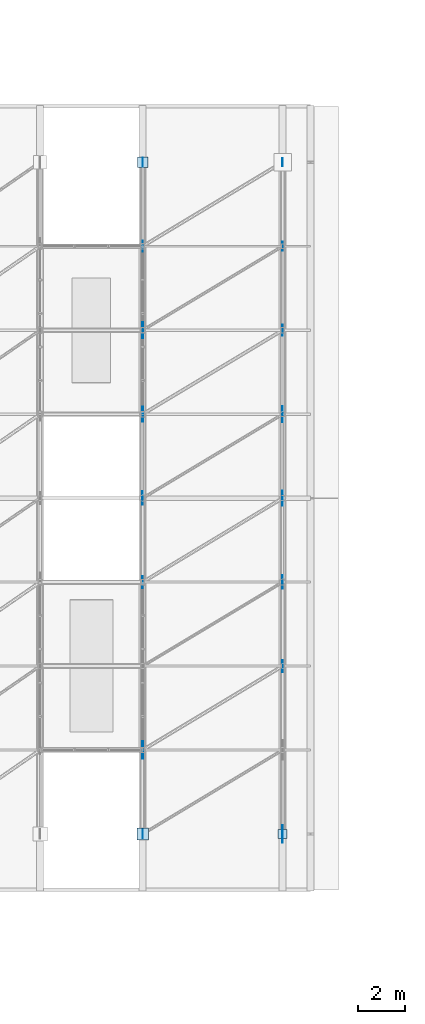
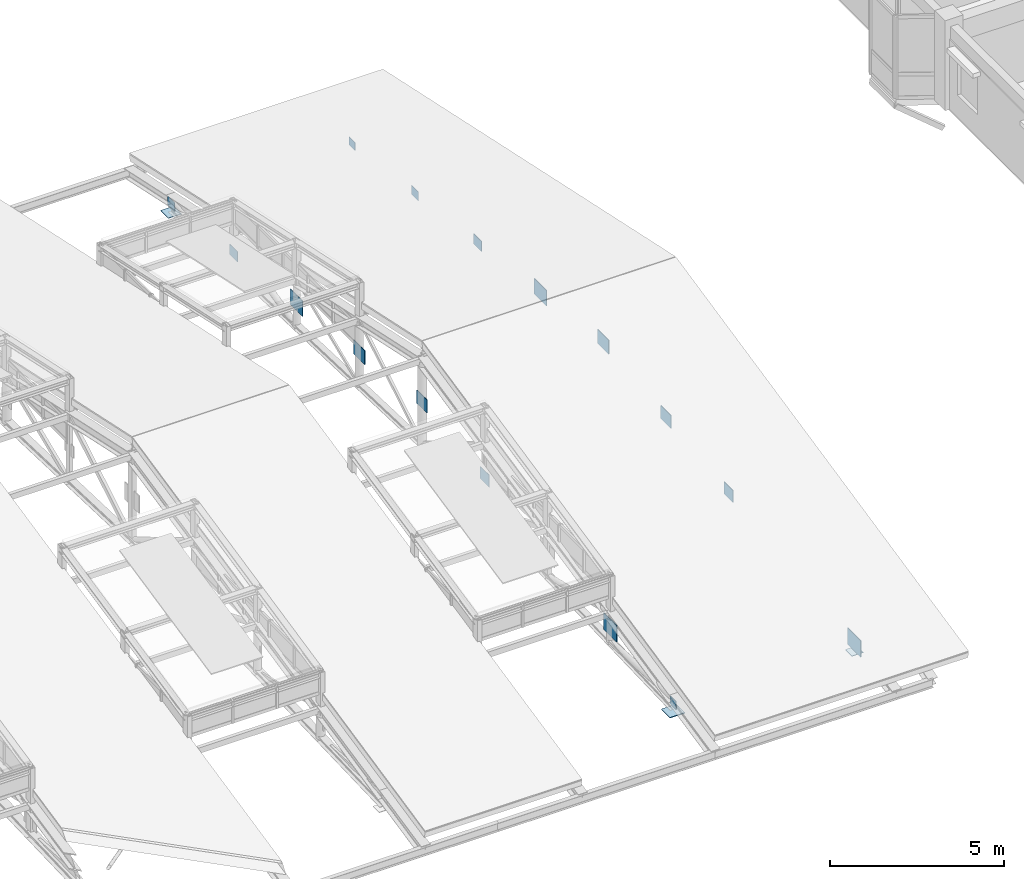
# One storey, part 88 of 124: 19 plates.
"""IFC4 building model written with IfcOpenShell, lengths in metres."""

from ifc_helpers import new_model, si_unit, direction, frame, origin, origin_2d, place, context, subcontext, project, spatial, rectangle, extrude, material, layer, layer_set, type_object, element, save


model = new_model("IFC4")

# Units and contexts
model_context = context("Model", 3, precision=1e-05, world=origin(), true_north=direction((0.0, 1.0)))
body_context = subcontext(model_context, "Body", "Model", "MODEL_VIEW")
ifc_project = project(units=[si_unit("LENGTHUNIT", "METRE"), si_unit("AREAUNIT", "SQUARE_METRE"), si_unit("VOLUMEUNIT", "CUBIC_METRE"), si_unit("PLANEANGLEUNIT", "RADIAN"), si_unit("MASSUNIT", "GRAM", prefix="KILO"), si_unit("THERMODYNAMICTEMPERATUREUNIT", "KELVIN"), si_unit("POWERUNIT", "WATT")], contexts=[model_context])

# Site, building, storey
site_placement = place(None, origin())
site = spatial("IfcSite", under=ifc_project, at=site_placement, CompositionType="ELEMENT")
building_placement = place(site_placement, origin())
building = spatial("IfcBuilding", under=site, at=building_placement, Name="Tavuni Mirador Residences", CompositionType="ELEMENT")
storey_placement = place(building_placement, frame((0.0, 0.0, 7.64990234375)))
storey = spatial("IfcBuildingStorey", under=building, at=storey_placement, Name="L02", CompositionType="ELEMENT", Elevation=7.64990234375)

# Plates
ifc_material = material(Name="Structural steel S355", Category="steel")
ifc_layer_1 = layer(ifc_material, 0.02392578125, Name="Structural steel S355", Category="steel")
ifc_layer_set_1 = layer_set([ifc_layer_1], Name="Structural steel S355")
plate_type_1 = type_object("IfcPlateType", Name="PLT-BP04", PredefinedType="USERDEFINED", material=ifc_layer_set_1)
plate_1_placement = place(storey_placement, frame((68.39990234375, 72.0, -0.65185546875), z_axis=(0.0, 0.0, 1.0), x_axis=(1.0, 0.0, 0.0)))
element("IfcPlate", 1, at=plate_1_placement, inside=storey, type_object=plate_type_1, Name="TR-7-BP-S", ObjectType="BASE PLATE", PredefinedType="USERDEFINED", context=body_context, shape_type="SweptSolid", body=[
    extrude(rectangle(XDim=0.5, YDim=0.5, at=origin_2d()), origin(), (0.0, 0.0, 1.0), 0.02392578125),
])
ifc_layer_2 = layer(ifc_material, 0.02197265625, Name="Structural steel S355", Category="steel")
ifc_layer_set_2 = layer_set([ifc_layer_2], Name="Structural steel S355")
plate_type_2 = type_object("IfcPlateType", Name="PLT-BP05", PredefinedType="USERDEFINED", material=ifc_layer_set_2)
plate_2_placement = place(storey_placement, frame((68.39990234375, 100.800048828125, -0.65087890625), z_axis=(0.0, 0.0, 1.0), x_axis=(1.0, 0.0, 0.0)))
element("IfcPlate", 2, at=plate_2_placement, inside=storey, type_object=plate_type_2, Name="TR-7-BP-N", ObjectType="BASE PLATE", PredefinedType="USERDEFINED", context=body_context, shape_type="SweptSolid", body=[
    extrude(rectangle(XDim=0.43994140625, YDim=0.43994140625, at=origin_2d()), origin(), (0.0, 0.0, 1.0), 0.02197265625),
])
ifc_layer_3 = layer(ifc_material, 0.02001953125, Name="Structural steel S355", Category="steel")
ifc_layer_set_3 = layer_set([ifc_layer_3], Name="Structural steel S355")
plate_type_3 = type_object("IfcPlateType", Name="PLT-BP06", PredefinedType="USERDEFINED", material=ifc_layer_set_3)
plate_3_placement = place(storey_placement, frame((74.39990234375, 72.0, -0.64990234375), z_axis=(0.0, 0.0, 1.0), x_axis=(1.0, 0.0, 0.0)))
element("IfcPlate", 3, at=plate_3_placement, inside=storey, type_object=plate_type_3, Name="TR-8-BP-S", ObjectType="BASE PLATE", PredefinedType="USERDEFINED", context=body_context, shape_type="SweptSolid", body=[
    extrude(rectangle(XDim=0.3798828125, YDim=0.3798828125, at=origin_2d()), origin(), (0.0, 0.0, 1.0), 0.02001953125),
])
ifc_layer_4 = layer(ifc_material, 0.02001953125, Name="Structural steel S355", Category="steel")
ifc_layer_set_4 = layer_set([ifc_layer_4], Name="Structural steel S355")
plate_type_4 = type_object("IfcPlateType", Name="PLT-GP01", PredefinedType="USERDEFINED", material=ifc_layer_set_4)
for number, where, z_axis, x_axis, name in (
    (4, (68.39990234375, 82.800048828125, 0.80517578125), (0.0, 0.0, 1.0), (0.0, 1.0, 0.0), "TR-7-GP-03"),
    (5, (74.39990234375, 79.199951171875, 0.355224609375), (0.0, 0.0, 1.0), (0.0, 1.0, 0.0), "TR-8-GP-02"),
):
    element("IfcPlate", number, at=place(storey_placement, frame(where, z_axis=z_axis, x_axis=x_axis)), inside=storey, type_object=plate_type_4, Name=name, ObjectType="GUSSET PLATE", PredefinedType="USERDEFINED", context=body_context, shape_type="SweptSolid", body=[
        extrude(rectangle(XDim=0.52001953125, YDim=0.02001953125, at=origin_2d()), origin(), (0.0, 0.0, 1.0), 0.419921875),
    ])
ifc_layer_5 = layer(ifc_material, 0.02197265625, Name="Structural steel S355", Category="steel")
ifc_layer_set_5 = layer_set([ifc_layer_5], Name="Structural steel S355")
plate_type_5 = type_object("IfcPlateType", Name="PLT-GP02", PredefinedType="USERDEFINED", material=ifc_layer_set_5)
for number, where, z_axis, x_axis, name in (
    (6, (68.39990234375, 86.39990234375, 1.235107421875), (0.0, 0.0, 1.0), (0.0, 1.0, 0.0), "TR-7-GP-04"),
    (7, (74.39990234375, 82.800048828125, 0.78515625), (0.0, 0.0, 1.0), (0.0, 1.0, 0.0), "TR-8-GP-03"),
):
    element("IfcPlate", number, at=place(storey_placement, frame(where, z_axis=z_axis, x_axis=x_axis)), inside=storey, type_object=plate_type_5, Name=name, ObjectType="GUSSET PLATE", PredefinedType="USERDEFINED", context=body_context, shape_type="SweptSolid", body=[
        extrude(rectangle(XDim=0.580078125, YDim=0.02197265625, at=origin_2d()), origin(), (0.0, 0.0, 1.0), 0.4599609375),
    ])
ifc_layer_6 = layer(ifc_material, 0.02392578125, Name="Structural steel S355", Category="steel")
ifc_layer_set_6 = layer_set([ifc_layer_6], Name="Structural steel S355")
plate_type_6 = type_object("IfcPlateType", Name="PLT-GP03", PredefinedType="USERDEFINED", material=ifc_layer_set_6)
for number, where, z_axis, x_axis, name in (
    (8, (68.39990234375, 90.0, 0.76513671875), (0.0, 0.0, 1.0), (0.0, 1.0, 0.0), "TR-7-GP-05"),
    (9, (74.39990234375, 86.39990234375, 1.215087890625), (0.0, 0.0, 1.0), (0.0, 1.0, 0.0), "TR-8-GP-04"),
):
    element("IfcPlate", number, at=place(storey_placement, frame(where, z_axis=z_axis, x_axis=x_axis)), inside=storey, type_object=plate_type_6, Name=name, ObjectType="GUSSET PLATE", PredefinedType="USERDEFINED", context=body_context, shape_type="SweptSolid", body=[
        extrude(rectangle(XDim=0.639892578125, YDim=0.02392578125, at=origin_2d()), origin(), (0.0, 0.0, 1.0), 0.5),
    ])
ifc_layer_7 = layer(ifc_material, 0.02490234375, Name="Structural steel S355", Category="steel")
ifc_layer_set_7 = layer_set([ifc_layer_7], Name="Structural steel S355")
plate_type_7 = type_object("IfcPlateType", Name="PLT-GP04", PredefinedType="USERDEFINED", material=ifc_layer_set_7)
for number, where, z_axis, x_axis, name in (
    (10, (68.39990234375, 93.60009765625, 0.295166015625), (0.0, 0.0, 1.0), (0.0, 1.0, 0.0), "TR-7-GP-06"),
    (11, (74.39990234375, 90.0, 0.7451171875), (0.0, 0.0, 1.0), (0.0, 1.0, 0.0), "TR-8-GP-05"),
):
    element("IfcPlate", number, at=place(storey_placement, frame(where, z_axis=z_axis, x_axis=x_axis)), inside=storey, type_object=plate_type_7, Name=name, ObjectType="GUSSET PLATE", PredefinedType="USERDEFINED", context=body_context, shape_type="SweptSolid", body=[
        extrude(rectangle(XDim=0.699951171875, YDim=0.02490234375, at=origin_2d()), origin(), (0.0, 0.0, 1.0), 0.5400390625),
    ])
ifc_layer_8 = layer(ifc_material, 0.01806640625, Name="Structural steel S355", Category="steel")
ifc_layer_set_8 = layer_set([ifc_layer_8], Name="Structural steel S355")
plate_type_8 = type_object("IfcPlateType", Name="PLT-GP05", PredefinedType="USERDEFINED", material=ifc_layer_set_8)
for number, where, z_axis, x_axis, name in (
    (12, (68.39990234375, 97.199951171875, -0.06494140625), (0.0, 0.0, 1.0), (0.0, 1.0, 0.0), "TR-7-GP-07"),
    (13, (74.39990234375, 93.60009765625, 0.38525390625), (0.0, 0.0, 1.0), (0.0, 1.0, 0.0), "TR-8-GP-06"),
):
    element("IfcPlate", number, at=place(storey_placement, frame(where, z_axis=z_axis, x_axis=x_axis)), inside=storey, type_object=plate_type_8, Name=name, ObjectType="GUSSET PLATE", PredefinedType="USERDEFINED", context=body_context, shape_type="SweptSolid", body=[
        extrude(rectangle(XDim=0.4599609375, YDim=0.01806640625, at=origin_2d()), origin(), (0.0, 0.0, 1.0), 0.360107421875),
    ])
ifc_layer_9 = layer(ifc_material, 0.01611328125, Name="Structural steel S355", Category="steel")
ifc_layer_set_9 = layer_set([ifc_layer_9], Name="Structural steel S355")
plate_type_9 = type_object("IfcPlateType", Name="PLT-GP06", PredefinedType="USERDEFINED", material=ifc_layer_set_9)
for number, where, z_axis, x_axis, name in (
    (14, (68.39990234375, 100.800048828125, -0.4951171875), (0.0, 0.0, 1.0), (0.0, 1.0, 0.0), "TR-7-GP-08"),
    (15, (74.39990234375, 97.199951171875, -0.044921875), (0.0, 0.0, 1.0), (0.0, 1.0, 0.0), "TR-8-GP-07"),
):
    element("IfcPlate", number, at=place(storey_placement, frame(where, z_axis=z_axis, x_axis=x_axis)), inside=storey, type_object=plate_type_9, Name=name, ObjectType="GUSSET PLATE", PredefinedType="USERDEFINED", context=body_context, shape_type="SweptSolid", body=[
        extrude(rectangle(XDim=0.39990234375, YDim=0.01611328125, at=origin_2d()), origin(), (0.0, 0.0, 1.0), 0.320068359375),
    ])
ifc_layer_10 = layer(ifc_material, 0.014892578125, Name="Structural steel S355", Category="steel")
ifc_layer_set_10 = layer_set([ifc_layer_10], Name="Structural steel S355")
plate_type_10 = type_object("IfcPlateType", Name="PLT-GP07", PredefinedType="USERDEFINED", material=ifc_layer_set_10)
for number, where, z_axis, x_axis, name in (
    (16, (68.39990234375, 72.0, -0.47509765625), (0.0, 0.0, 1.0), (0.0, 1.0, 0.0), "TR-7-GP-00"),
    (17, (74.39990234375, 100.800048828125, -0.47509765625), (0.0, 0.0, 1.0), (0.0, 1.0, 0.0), "TR-8-GP-08"),
):
    element("IfcPlate", number, at=place(storey_placement, frame(where, z_axis=z_axis, x_axis=x_axis)), inside=storey, type_object=plate_type_10, Name=name, ObjectType="GUSSET PLATE", PredefinedType="USERDEFINED", context=body_context, shape_type="SweptSolid", body=[
        extrude(rectangle(XDim=0.360107421875, YDim=0.014892578125, at=origin_2d()), origin(), (0.0, 0.0, 1.0), 0.280029296875),
    ])
ifc_layer_11 = layer(ifc_material, 0.02587890625, Name="Structural steel S355", Category="steel")
ifc_layer_set_11 = layer_set([ifc_layer_11], Name="Structural steel S355")
plate_type_11 = type_object("IfcPlateType", Name="PLT-GP08", PredefinedType="USERDEFINED", material=ifc_layer_set_11)
for number, where, z_axis, x_axis, name in (
    (18, (68.39990234375, 75.60009765625, -0.175048828125), (0.0, 0.0, 1.0), (0.0, 1.0, 0.0), "TR-7-GP-01"),
    (19, (74.39990234375, 72.0, -0.625), (0.0, 0.0, 1.0), (0.0, 1.0, 0.0), "TR-8-GP-00"),
):
    element("IfcPlate", number, at=place(storey_placement, frame(where, z_axis=z_axis, x_axis=x_axis)), inside=storey, type_object=plate_type_11, Name=name, ObjectType="GUSSET PLATE", PredefinedType="USERDEFINED", context=body_context, shape_type="SweptSolid", body=[
        extrude(rectangle(XDim=0.760009765625, YDim=0.02587890625, at=origin_2d()), origin(), (0.0, 0.0, 1.0), 0.580078125),
    ])

save(model, "model.ifc")
